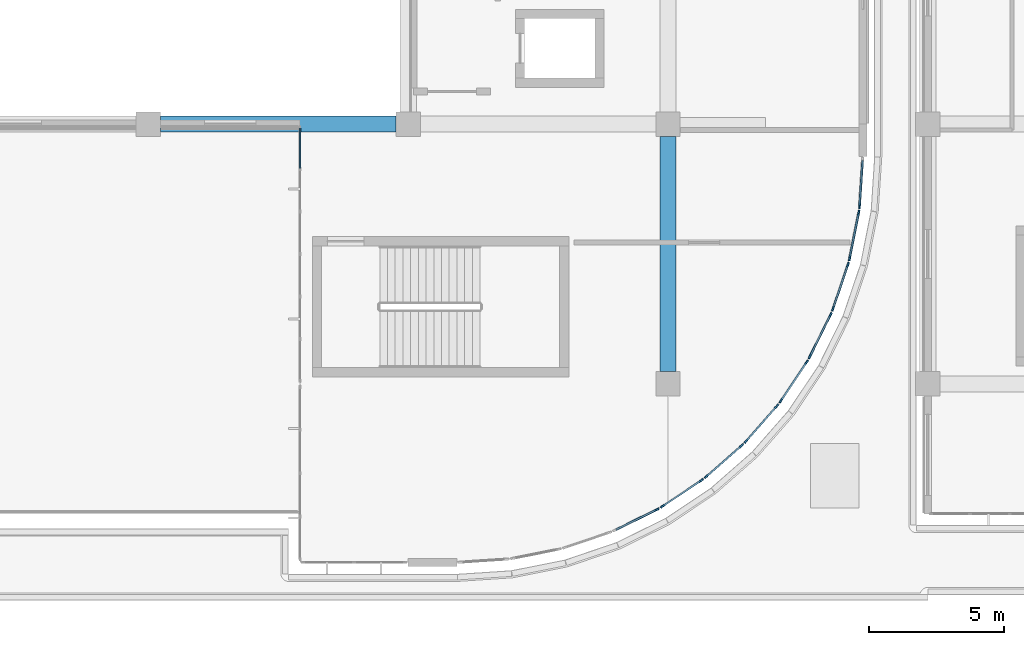
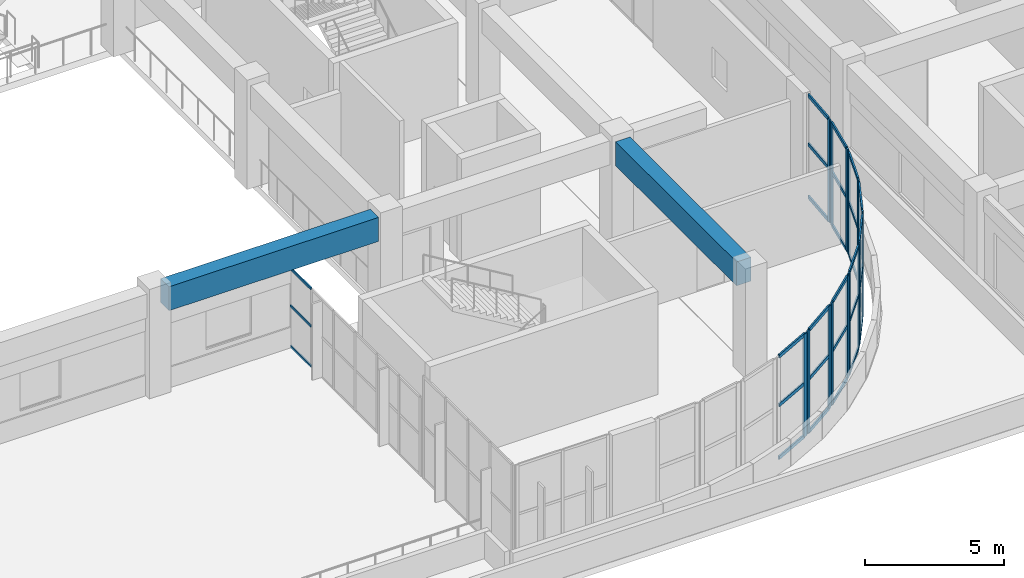
# One storey, part 7 of 96: 46 members, 2 beams, 10 elements without a shape of their own.
"""IFC4 building model written with IfcOpenShell, lengths in metres."""

from ifc_helpers import new_model, si_unit, direction, frame, origin, origin_2d, place, context, subcontext, project, spatial, rectangle, extrude, material, layer, layer_set, material_profile, profile_set, type_object, element, aggregate, save


model = new_model("IFC4")

# Units and contexts
model_context = context("Model", 3, precision=1e-05, world=origin(), true_north=direction((0.0, 1.0)))
body_context = subcontext(model_context, "Body", "Model", "MODEL_VIEW")
ifc_project = project(units=[si_unit("LENGTHUNIT", "METRE"), si_unit("AREAUNIT", "SQUARE_METRE"), si_unit("VOLUMEUNIT", "CUBIC_METRE"), si_unit("PLANEANGLEUNIT", "RADIAN"), si_unit("MASSUNIT", "GRAM", prefix="KILO")], contexts=[model_context])

# Site, building, storey
site_placement = place(None, origin())
site = spatial("IfcSite", under=ifc_project, at=site_placement, CompositionType="ELEMENT")
building_placement = place(site_placement, origin())
building = spatial("IfcBuilding", under=site, at=building_placement, Name="Cendralis Terraced Arcade", CompositionType="ELEMENT")
storey_placement = place(building_placement, frame((0.0, 0.0, 10.199951171875)))
storey = spatial("IfcBuildingStorey", under=building, at=storey_placement, Name="L02", CompositionType="ELEMENT", Elevation=10.199951171875)

# Beams
ifc_material_1 = material(Name="Concrete f'c 35 MPa", Category="concrete")
ifc_material_profile_1 = material_profile(ifc_material_1, rectangle(XDim=0.60009765625, YDim=1.050048828125, at=origin_2d()), Name="RC-BM-600x1050", Category="LoadBearing")
ifc_profile_set_1 = profile_set([ifc_material_profile_1], Name="Concrete f'c 35 MPa")
beam_type = type_object("IfcBeamType", Name="BM-600x1050", PredefinedType="JOIST", material=ifc_profile_set_1)
for number, where, z_axis, x_axis, name in (
    (1, (38.85009765625, 19.199951171875, 3.989990234375), (1.0, 0.0, 0.0), (0.0, 1.0, 0.0), "Reinforced Concrete Frame Beam BM-X-L03-C-5_6"),
    (2, (57.60009765625, 10.050048828125, 3.989990234375), (0.0, 1.0, 0.0), (-1.0, 0.0, 0.0), "Reinforced Concrete Frame Beam BM-Y-L03-7-B_C"),
):
    element("IfcBeam", number, at=place(storey_placement, frame(where, z_axis=z_axis, x_axis=x_axis)), inside=storey, type_object=beam_type, Name=name, PredefinedType="JOIST", context=body_context, shape_type="SweptSolid", body=[
        extrude(rectangle(XDim=0.60009765625, YDim=1.050048828125, at=origin_2d()), origin(), (0.0, 0.0, 1.0), 8.699951171875),
    ])

# Curtain wall, members
ifc_material_2 = material(Name="Anodised aluminium EN AW-6063 T6", Category="aluminium")
ifc_layer_1 = layer(ifc_material_2, 0.1201171875, Name="CW-STORE-B")
ifc_layer_set_1 = layer_set([ifc_layer_1], Name="Anodised aluminium EN AW-6063 T6")
curtain_wall_type_1 = type_object("IfcCurtainWallType", Name="CW-STORE-B", PredefinedType="USERDEFINED", material=ifc_layer_set_1)
curtain_wall_1_placement = place(storey_placement, origin())
curtain_wall_1 = element("IfcCurtainWall", 3, at=curtain_wall_1_placement, inside=storey, type_object=curtain_wall_type_1, Name="Exterior Storefront Glazing CW-L02-0206", ObjectType="STOREFRONT GLAZING", PredefinedType="USERDEFINED")
ifc_material_profile_2 = material_profile(ifc_material_2, rectangle(XDim=0.054931640625, YDim=0.10009765625, at=origin_2d()), Name="ALU-TRN-55x100")
ifc_profile_set_2 = profile_set([ifc_material_profile_2], Name="Anodised aluminium EN AW-6063 T6")
member_type_1 = type_object("IfcMemberType", Name="CW-STORE-B-TRN", PredefinedType="USERDEFINED", material=ifc_profile_set_2)
member_1_placement = place(storey_placement, frame((44.0, 17.5673828125, 0.027587890625), z_axis=(0.0, 1.0, 0.0), x_axis=(-1.0, 0.0, 0.0)))
member_1 = element("IfcMember", 4, at=member_1_placement, type_object=member_type_1, Name="CW-S2 transom 6.1", ObjectType="TRANSOM", PredefinedType="USERDEFINED", context=body_context, shape_type="SweptSolid", body=[
    extrude(rectangle(XDim=0.054931640625, YDim=0.10009765625, at=origin_2d()), origin(), (0.0, 0.0, 1.0), 1.487548828125),
])
member_2_placement = place(storey_placement, frame((44.0, 17.5673828125, 1.796630859375), z_axis=(0.0, 1.0, 0.0), x_axis=(-1.0, 0.0, 0.0)))
member_2 = element("IfcMember", 5, at=member_2_placement, type_object=member_type_1, Name="CW-S2 transom 6.2", ObjectType="TRANSOM", PredefinedType="USERDEFINED", context=body_context, shape_type="SweptSolid", body=[
    extrude(rectangle(XDim=0.054931640625, YDim=0.10009765625, at=origin_2d()), origin(), (0.0, 0.0, 1.0), 1.487548828125),
])
member_3_placement = place(storey_placement, frame((44.0, 17.5673828125, 3.427490234375), z_axis=(0.0, 1.0, 0.0), x_axis=(-1.0, 0.0, 0.0)))
member_3 = element("IfcMember", 6, at=member_3_placement, type_object=member_type_1, Name="CW-S2 transom 6.3", ObjectType="TRANSOM", PredefinedType="USERDEFINED", context=body_context, shape_type="SweptSolid", body=[
    extrude(rectangle(XDim=0.054931640625, YDim=0.10009765625, at=origin_2d()), origin(), (0.0, 0.0, 1.0), 1.487548828125),
])
aggregate(curtain_wall_1, [member_1, member_2, member_3])

# Curtain wall, member
ifc_layer_2 = layer(ifc_material_2, 0.179931640625, Name="CW-UNIT-A")
ifc_layer_set_2 = layer_set([ifc_layer_2], Name="Anodised aluminium EN AW-6063 T6")
curtain_wall_type_2 = type_object("IfcCurtainWallType", Name="CW-UNIT-A", PredefinedType="USERDEFINED", material=ifc_layer_set_2)
curtain_wall_2_placement = place(storey_placement, origin())
curtain_wall_2 = element("IfcCurtainWall", 7, at=curtain_wall_2_placement, inside=storey, type_object=curtain_wall_type_2, Name="Exterior Unitised Facade CW-L02-0192", ObjectType="UNITISED FACADE", PredefinedType="USERDEFINED")
ifc_material_profile_3 = material_profile(ifc_material_2, rectangle(XDim=0.06494140625, YDim=0.179931640625, at=origin_2d()), Name="ALU-MUL-65x180")
ifc_profile_set_3 = profile_set([ifc_material_profile_3], Name="Anodised aluminium EN AW-6063 T6")
member_type_2 = type_object("IfcMemberType", Name="CW-UNIT-A-MUL", PredefinedType="MULLION", material=ifc_profile_set_3)
member_4_placement = place(storey_placement, frame((64.6796875, 16.164306640625, 0.0), z_axis=(0.0, 0.0, 1.0), x_axis=(0.997860971336, -0.065371873798, 0.0)))
member_4 = element("IfcMember", 8, at=member_4_placement, type_object=member_type_2, Name="CW-U1 mullion 2", PredefinedType="MULLION", context=body_context, shape_type="SweptSolid", body=[
    extrude(rectangle(XDim=0.06494140625, YDim=0.179931640625, at=origin_2d()), origin(), (0.0, 0.0, 1.0), 4.51513671875),
])

# Curtain wall, members
curtain_wall_3_placement = place(storey_placement, origin())
curtain_wall_3 = element("IfcCurtainWall", 9, at=curtain_wall_3_placement, inside=storey, type_object=curtain_wall_type_2, Name="Exterior Unitised Facade CW-L02-0193", ObjectType="UNITISED FACADE", PredefinedType="USERDEFINED")
member_5_placement = place(storey_placement, frame((64.647705078125, 15.921875, 0.0), z_axis=(0.0, 0.0, 1.0), x_axis=(0.980791618721, -0.195058454434, 0.0)))
member_5 = element("IfcMember", 10, at=member_5_placement, type_object=member_type_2, Name="CW-U1 mullion 1", PredefinedType="MULLION", context=body_context, shape_type="SweptSolid", body=[
    extrude(rectangle(XDim=0.06494140625, YDim=0.179931640625, at=origin_2d()), origin(), (0.0, 0.0, 1.0), 4.51513671875),
])
member_6_placement = place(storey_placement, frame((64.312744140625, 14.23779296875, 0.0), z_axis=(0.0, 0.0, 1.0), x_axis=(0.980791618721, -0.195058454434, 0.0)))
member_6 = element("IfcMember", 11, at=member_6_placement, type_object=member_type_2, Name="CW-U1 mullion 2", PredefinedType="MULLION", context=body_context, shape_type="SweptSolid", body=[
    extrude(rectangle(XDim=0.06494140625, YDim=0.179931640625, at=origin_2d()), origin(), (0.0, 0.0, 1.0), 4.51513671875),
])

curtain_wall_4_placement = place(storey_placement, origin())
curtain_wall_4 = element("IfcCurtainWall", 12, at=curtain_wall_4_placement, inside=storey, type_object=curtain_wall_type_2, Name="Exterior Unitised Facade CW-L02-0194", ObjectType="UNITISED FACADE", PredefinedType="USERDEFINED")
member_7_placement = place(storey_placement, frame((64.24951171875, 14.001708984375, 0.0), z_axis=(0.0, 0.0, 1.0), x_axis=(0.946923811316, -0.321458077458, 0.0)))
member_7 = element("IfcMember", 13, at=member_7_placement, type_object=member_type_2, Name="CW-U1 mullion 1", PredefinedType="MULLION", context=body_context, shape_type="SweptSolid", body=[
    extrude(rectangle(XDim=0.06494140625, YDim=0.179931640625, at=origin_2d()), origin(), (0.0, 0.0, 1.0), 4.51513671875),
])
member_8_placement = place(storey_placement, frame((63.697509765625, 12.375732421875, 0.0), z_axis=(0.0, 0.0, 1.0), x_axis=(0.946923811316, -0.321458077458, 0.0)))
member_8 = element("IfcMember", 14, at=member_8_placement, type_object=member_type_2, Name="CW-U1 mullion 2", PredefinedType="MULLION", context=body_context, shape_type="SweptSolid", body=[
    extrude(rectangle(XDim=0.06494140625, YDim=0.179931640625, at=origin_2d()), origin(), (0.0, 0.0, 1.0), 4.51513671875),
])

curtain_wall_5_placement = place(storey_placement, origin())
curtain_wall_5 = element("IfcCurtainWall", 15, at=curtain_wall_5_placement, inside=storey, type_object=curtain_wall_type_2, Name="Exterior Unitised Facade CW-L02-0195", ObjectType="UNITISED FACADE", PredefinedType="USERDEFINED")
member_9_placement = place(storey_placement, frame((63.60400390625, 12.14990234375, 0.0), z_axis=(0.0, 0.0, 1.0), x_axis=(0.896871480419, -0.442291247495, 0.0)))
member_9 = element("IfcMember", 16, at=member_9_placement, type_object=member_type_2, Name="CW-U1 mullion 1", PredefinedType="MULLION", context=body_context, shape_type="SweptSolid", body=[
    extrude(rectangle(XDim=0.06494140625, YDim=0.179931640625, at=origin_2d()), origin(), (0.0, 0.0, 1.0), 4.51513671875),
])
member_10_placement = place(storey_placement, frame((62.844482421875, 10.60986328125, 0.0), z_axis=(0.0, 0.0, 1.0), x_axis=(0.896871480419, -0.442291247495, 0.0)))
member_10 = element("IfcMember", 17, at=member_10_placement, type_object=member_type_2, Name="CW-U1 mullion 2", PredefinedType="MULLION", context=body_context, shape_type="SweptSolid", body=[
    extrude(rectangle(XDim=0.06494140625, YDim=0.179931640625, at=origin_2d()), origin(), (0.0, 0.0, 1.0), 4.51513671875),
])

curtain_wall_6_placement = place(storey_placement, origin())
curtain_wall_6 = element("IfcCurtainWall", 18, at=curtain_wall_6_placement, inside=storey, type_object=curtain_wall_type_2, Name="Exterior Unitised Facade CW-L02-0196", ObjectType="UNITISED FACADE", PredefinedType="USERDEFINED")
member_11_placement = place(storey_placement, frame((62.722412109375, 10.398193359375, 0.0), z_axis=(0.0, 0.0, 1.0), x_axis=(0.831471454125, -0.555567476528, 0.0)))
member_11 = element("IfcMember", 19, at=member_11_placement, type_object=member_type_2, Name="CW-U1 mullion 1", PredefinedType="MULLION", context=body_context, shape_type="SweptSolid", body=[
    extrude(rectangle(XDim=0.06494140625, YDim=0.179931640625, at=origin_2d()), origin(), (0.0, 0.0, 1.0), 4.51513671875),
])
member_12_placement = place(storey_placement, frame((61.768310546875, 8.970458984375, 0.0), z_axis=(0.0, 0.0, 1.0), x_axis=(0.831471454125, -0.555567476528, 0.0)))
member_12 = element("IfcMember", 20, at=member_12_placement, type_object=member_type_2, Name="CW-U1 mullion 2", PredefinedType="MULLION", context=body_context, shape_type="SweptSolid", body=[
    extrude(rectangle(XDim=0.06494140625, YDim=0.179931640625, at=origin_2d()), origin(), (0.0, 0.0, 1.0), 4.51513671875),
])

curtain_wall_7_placement = place(storey_placement, origin())
curtain_wall_7 = element("IfcCurtainWall", 21, at=curtain_wall_7_placement, inside=storey, type_object=curtain_wall_type_2, Name="Exterior Unitised Facade CW-L02-0197", ObjectType="UNITISED FACADE", PredefinedType="USERDEFINED")
member_13_placement = place(storey_placement, frame((61.61962890625, 8.7763671875, 0.0), z_axis=(0.0, 0.0, 1.0), x_axis=(0.751804497477, -0.659386076266, 0.0)))
member_13 = element("IfcMember", 22, at=member_13_placement, type_object=member_type_2, Name="CW-U1 mullion 1", PredefinedType="MULLION", context=body_context, shape_type="SweptSolid", body=[
    extrude(rectangle(XDim=0.06494140625, YDim=0.179931640625, at=origin_2d()), origin(), (0.0, 0.0, 1.0), 4.51513671875),
])
member_14_placement = place(storey_placement, frame((60.4873046875, 7.485595703125, 0.0), z_axis=(0.0, 0.0, 1.0), x_axis=(0.751804497477, -0.659386076266, 0.0)))
member_14 = element("IfcMember", 23, at=member_14_placement, type_object=member_type_2, Name="CW-U1 mullion 2", PredefinedType="MULLION", context=body_context, shape_type="SweptSolid", body=[
    extrude(rectangle(XDim=0.06494140625, YDim=0.179931640625, at=origin_2d()), origin(), (0.0, 0.0, 1.0), 4.51513671875),
])

curtain_wall_8_placement = place(storey_placement, origin())
curtain_wall_8 = element("IfcCurtainWall", 24, at=curtain_wall_8_placement, inside=storey, type_object=curtain_wall_type_2, Name="Exterior Unitised Facade CW-L02-0198", ObjectType="UNITISED FACADE", PredefinedType="USERDEFINED")
member_15_placement = place(storey_placement, frame((60.314453125, 7.312744140625, 0.0), z_axis=(0.0, 0.0, 1.0), x_axis=(0.659386076266, -0.751804497477, 0.0)))
member_15 = element("IfcMember", 25, at=member_15_placement, type_object=member_type_2, Name="CW-U1 mullion 1", PredefinedType="MULLION", context=body_context, shape_type="SweptSolid", body=[
    extrude(rectangle(XDim=0.06494140625, YDim=0.179931640625, at=origin_2d()), origin(), (0.0, 0.0, 1.0), 4.51513671875),
])
member_16_placement = place(storey_placement, frame((59.0234375, 6.180419921875, 0.0), z_axis=(0.0, 0.0, 1.0), x_axis=(0.659386076266, -0.751804497477, 0.0)))
member_16 = element("IfcMember", 26, at=member_16_placement, type_object=member_type_2, Name="CW-U1 mullion 2", PredefinedType="MULLION", context=body_context, shape_type="SweptSolid", body=[
    extrude(rectangle(XDim=0.06494140625, YDim=0.179931640625, at=origin_2d()), origin(), (0.0, 0.0, 1.0), 4.51513671875),
])

curtain_wall_9_placement = place(storey_placement, origin())
curtain_wall_9 = element("IfcCurtainWall", 27, at=curtain_wall_9_placement, inside=storey, type_object=curtain_wall_type_2, Name="Exterior Unitised Facade CW-L02-0199", ObjectType="UNITISED FACADE", PredefinedType="USERDEFINED")
member_17_placement = place(storey_placement, frame((58.82958984375, 6.03173828125, 0.0), z_axis=(0.0, 0.0, 1.0), x_axis=(0.555567476528, -0.831471454125, 0.0)))
member_17 = element("IfcMember", 28, at=member_17_placement, type_object=member_type_2, Name="CW-U1 mullion 1", PredefinedType="MULLION", context=body_context, shape_type="SweptSolid", body=[
    extrude(rectangle(XDim=0.06494140625, YDim=0.179931640625, at=origin_2d()), origin(), (0.0, 0.0, 1.0), 4.51513671875),
])
member_18_placement = place(storey_placement, frame((57.40185546875, 5.07763671875, 0.0), z_axis=(0.0, 0.0, 1.0), x_axis=(0.555567476528, -0.831471454125, 0.0)))
member_18 = element("IfcMember", 29, at=member_18_placement, type_object=member_type_2, Name="CW-U1 mullion 2", PredefinedType="MULLION", context=body_context, shape_type="SweptSolid", body=[
    extrude(rectangle(XDim=0.06494140625, YDim=0.179931640625, at=origin_2d()), origin(), (0.0, 0.0, 1.0), 4.51513671875),
])

# Curtain wall, member
curtain_wall_10_placement = place(storey_placement, origin())
curtain_wall_10 = element("IfcCurtainWall", 30, at=curtain_wall_10_placement, inside=storey, type_object=curtain_wall_type_2, Name="Exterior Unitised Facade CW-L02-0200", ObjectType="UNITISED FACADE", PredefinedType="USERDEFINED")
member_19_placement = place(storey_placement, frame((57.190185546875, 4.955322265625, 0.0), z_axis=(0.0, 0.0, 1.0), x_axis=(0.442291247495, -0.896871480419, 0.0)))
member_19 = element("IfcMember", 31, at=member_19_placement, type_object=member_type_2, Name="CW-U1 mullion 1", PredefinedType="MULLION", context=body_context, shape_type="SweptSolid", body=[
    extrude(rectangle(XDim=0.06494140625, YDim=0.179931640625, at=origin_2d()), origin(), (0.0, 0.0, 1.0), 4.51513671875),
])

# Member
ifc_material_profile_4 = material_profile(ifc_material_2, rectangle(XDim=0.06494140625, YDim=0.14990234375, at=origin_2d()), Name="ALU-TRN-65x150")
ifc_profile_set_4 = profile_set([ifc_material_profile_4], Name="Anodised aluminium EN AW-6063 T6")
member_type_3 = type_object("IfcMemberType", Name="CW-UNIT-A-TRN", PredefinedType="USERDEFINED", material=ifc_profile_set_4)
member_20_placement = place(storey_placement, frame((64.789794921875, 17.845458984375, 0.032470703125), z_axis=(-0.065312640858, -0.997864850039, 0.0), x_axis=(0.997864850039, -0.065312640858, 0.0)))
member_20 = element("IfcMember", 32, at=member_20_placement, type_object=member_type_3, Name="CW-U1 transom 1.1", ObjectType="TRANSOM", PredefinedType="USERDEFINED", context=body_context, shape_type="SweptSolid", body=[
    extrude(rectangle(XDim=0.06494140625, YDim=0.14990234375, at=origin_2d()), origin(), (0.0, 0.0, 1.0), 1.652099609375),
])

member_21_placement = place(storey_placement, frame((64.789794921875, 17.845458984375, 2.347900390625), z_axis=(-0.065312640858, -0.997864850039, 0.0), x_axis=(0.997864850039, -0.065312640858, 0.0)))
member_21 = element("IfcMember", 33, at=member_21_placement, type_object=member_type_3, Name="CW-U1 transom 1.2", ObjectType="TRANSOM", PredefinedType="USERDEFINED", context=body_context, shape_type="SweptSolid", body=[
    extrude(rectangle(XDim=0.06494140625, YDim=0.14990234375, at=origin_2d()), origin(), (0.0, 0.0, 1.0), 1.652099609375),
])

member_22_placement = place(storey_placement, frame((64.789794921875, 17.845458984375, 4.482666015625), z_axis=(-0.065312640858, -0.997864850039, 0.0), x_axis=(0.997864850039, -0.065312640858, 0.0)))
member_22 = element("IfcMember", 34, at=member_22_placement, type_object=member_type_3, Name="CW-U1 transom 1.3", ObjectType="TRANSOM", PredefinedType="USERDEFINED", context=body_context, shape_type="SweptSolid", body=[
    extrude(rectangle(XDim=0.06494140625, YDim=0.14990234375, at=origin_2d()), origin(), (0.0, 0.0, 1.0), 1.652099609375),
])

aggregate(curtain_wall_2, [member_4, member_20, member_21, member_22])

member_23_placement = place(storey_placement, frame((64.641357421875, 15.89013671875, 0.032470703125), z_axis=(-0.195064538134, -0.980790408784, 0.0), x_axis=(0.980790408784, -0.195064538134, 0.0)))
member_23 = element("IfcMember", 35, at=member_23_placement, type_object=member_type_3, Name="CW-U1 transom 1.1", ObjectType="TRANSOM", PredefinedType="USERDEFINED", context=body_context, shape_type="SweptSolid", body=[
    extrude(rectangle(XDim=0.06494140625, YDim=0.14990234375, at=origin_2d()), origin(), (0.0, 0.0, 1.0), 1.652099609375),
])

member_24_placement = place(storey_placement, frame((64.641357421875, 15.89013671875, 2.347900390625), z_axis=(-0.195064538134, -0.980790408784, 0.0), x_axis=(0.980790408784, -0.195064538134, 0.0)))
member_24 = element("IfcMember", 36, at=member_24_placement, type_object=member_type_3, Name="CW-U1 transom 1.2", ObjectType="TRANSOM", PredefinedType="USERDEFINED", context=body_context, shape_type="SweptSolid", body=[
    extrude(rectangle(XDim=0.06494140625, YDim=0.14990234375, at=origin_2d()), origin(), (0.0, 0.0, 1.0), 1.652099609375),
])

member_25_placement = place(storey_placement, frame((64.641357421875, 15.89013671875, 4.482666015625), z_axis=(-0.195064538134, -0.980790408784, 0.0), x_axis=(0.980790408784, -0.195064538134, 0.0)))
member_25 = element("IfcMember", 37, at=member_25_placement, type_object=member_type_3, Name="CW-U1 transom 1.3", ObjectType="TRANSOM", PredefinedType="USERDEFINED", context=body_context, shape_type="SweptSolid", body=[
    extrude(rectangle(XDim=0.06494140625, YDim=0.14990234375, at=origin_2d()), origin(), (0.0, 0.0, 1.0), 1.652099609375),
])

aggregate(curtain_wall_3, [member_5, member_6, member_23, member_24, member_25])

member_26_placement = place(storey_placement, frame((64.239013671875, 13.970947265625, 0.032470703125), z_axis=(-0.321409930755, -0.94694015461, 0.0), x_axis=(0.94694015461, -0.321409930755, 0.0)))
member_26 = element("IfcMember", 38, at=member_26_placement, type_object=member_type_3, Name="CW-U1 transom 1.1", ObjectType="TRANSOM", PredefinedType="USERDEFINED", context=body_context, shape_type="SweptSolid", body=[
    extrude(rectangle(XDim=0.06494140625, YDim=0.14990234375, at=origin_2d()), origin(), (0.0, 0.0, 1.0), 1.652099609375),
])

member_27_placement = place(storey_placement, frame((64.239013671875, 13.970947265625, 2.347900390625), z_axis=(-0.321409930755, -0.94694015461, 0.0), x_axis=(0.94694015461, -0.321409930755, 0.0)))
member_27 = element("IfcMember", 39, at=member_27_placement, type_object=member_type_3, Name="CW-U1 transom 1.2", ObjectType="TRANSOM", PredefinedType="USERDEFINED", context=body_context, shape_type="SweptSolid", body=[
    extrude(rectangle(XDim=0.06494140625, YDim=0.14990234375, at=origin_2d()), origin(), (0.0, 0.0, 1.0), 1.652099609375),
])

member_28_placement = place(storey_placement, frame((64.239013671875, 13.970947265625, 4.482666015625), z_axis=(-0.321409930755, -0.94694015461, 0.0), x_axis=(0.94694015461, -0.321409930755, 0.0)))
member_28 = element("IfcMember", 40, at=member_28_placement, type_object=member_type_3, Name="CW-U1 transom 1.3", ObjectType="TRANSOM", PredefinedType="USERDEFINED", context=body_context, shape_type="SweptSolid", body=[
    extrude(rectangle(XDim=0.06494140625, YDim=0.14990234375, at=origin_2d()), origin(), (0.0, 0.0, 1.0), 1.652099609375),
])

aggregate(curtain_wall_4, [member_7, member_8, member_26, member_27, member_28])

member_29_placement = place(storey_placement, frame((63.589599609375, 12.12060546875, 0.032470703125), z_axis=(-0.442300625853, -0.896866855431, 0.0), x_axis=(0.896866855431, -0.442300625853, 0.0)))
member_29 = element("IfcMember", 41, at=member_29_placement, type_object=member_type_3, Name="CW-U1 transom 1.1", ObjectType="TRANSOM", PredefinedType="USERDEFINED", context=body_context, shape_type="SweptSolid", body=[
    extrude(rectangle(XDim=0.06494140625, YDim=0.14990234375, at=origin_2d()), origin(), (0.0, 0.0, 1.0), 1.652099609375),
])

member_30_placement = place(storey_placement, frame((63.589599609375, 12.12060546875, 2.347900390625), z_axis=(-0.442300625853, -0.896866855431, 0.0), x_axis=(0.896866855431, -0.442300625853, 0.0)))
member_30 = element("IfcMember", 42, at=member_30_placement, type_object=member_type_3, Name="CW-U1 transom 1.2", ObjectType="TRANSOM", PredefinedType="USERDEFINED", context=body_context, shape_type="SweptSolid", body=[
    extrude(rectangle(XDim=0.06494140625, YDim=0.14990234375, at=origin_2d()), origin(), (0.0, 0.0, 1.0), 1.652099609375),
])

member_31_placement = place(storey_placement, frame((63.589599609375, 12.12060546875, 4.482666015625), z_axis=(-0.442300625853, -0.896866855431, 0.0), x_axis=(0.896866855431, -0.442300625853, 0.0)))
member_31 = element("IfcMember", 43, at=member_31_placement, type_object=member_type_3, Name="CW-U1 transom 1.3", ObjectType="TRANSOM", PredefinedType="USERDEFINED", context=body_context, shape_type="SweptSolid", body=[
    extrude(rectangle(XDim=0.06494140625, YDim=0.14990234375, at=origin_2d()), origin(), (0.0, 0.0, 1.0), 1.652099609375),
])

aggregate(curtain_wall_5, [member_9, member_10, member_29, member_30, member_31])

member_32_placement = place(storey_placement, frame((62.704345703125, 10.37109375, 0.032470703125), z_axis=(-0.555654720391, -0.831413153436, 0.0), x_axis=(0.831413153436, -0.555654720391, 0.0)))
member_32 = element("IfcMember", 44, at=member_32_placement, type_object=member_type_3, Name="CW-U1 transom 1.1", ObjectType="TRANSOM", PredefinedType="USERDEFINED", context=body_context, shape_type="SweptSolid", body=[
    extrude(rectangle(XDim=0.06494140625, YDim=0.14990234375, at=origin_2d()), origin(), (0.0, 0.0, 1.0), 1.652099609375),
])

member_33_placement = place(storey_placement, frame((62.704345703125, 10.37109375, 2.347900390625), z_axis=(-0.555654720391, -0.831413153436, 0.0), x_axis=(0.831413153436, -0.555654720391, 0.0)))
member_33 = element("IfcMember", 45, at=member_33_placement, type_object=member_type_3, Name="CW-U1 transom 1.2", ObjectType="TRANSOM", PredefinedType="USERDEFINED", context=body_context, shape_type="SweptSolid", body=[
    extrude(rectangle(XDim=0.06494140625, YDim=0.14990234375, at=origin_2d()), origin(), (0.0, 0.0, 1.0), 1.652099609375),
])

member_34_placement = place(storey_placement, frame((62.704345703125, 10.37109375, 4.482666015625), z_axis=(-0.555654720391, -0.831413153436, 0.0), x_axis=(0.831413153436, -0.555654720391, 0.0)))
member_34 = element("IfcMember", 46, at=member_34_placement, type_object=member_type_3, Name="CW-U1 transom 1.3", ObjectType="TRANSOM", PredefinedType="USERDEFINED", context=body_context, shape_type="SweptSolid", body=[
    extrude(rectangle(XDim=0.06494140625, YDim=0.14990234375, at=origin_2d()), origin(), (0.0, 0.0, 1.0), 1.652099609375),
])

aggregate(curtain_wall_6, [member_11, member_12, member_32, member_33, member_34])

member_35_placement = place(storey_placement, frame((61.59814453125, 8.751953125, 0.032470703125), z_axis=(-0.659414374006, -0.751779677402, 0.0), x_axis=(0.751779677402, -0.659414374006, 0.0)))
member_35 = element("IfcMember", 47, at=member_35_placement, type_object=member_type_3, Name="CW-U1 transom 1.1", ObjectType="TRANSOM", PredefinedType="USERDEFINED", context=body_context, shape_type="SweptSolid", body=[
    extrude(rectangle(XDim=0.06494140625, YDim=0.14990234375, at=origin_2d()), origin(), (0.0, 0.0, 1.0), 1.652099609375),
])

member_36_placement = place(storey_placement, frame((61.59814453125, 8.751953125, 2.347900390625), z_axis=(-0.659414374006, -0.751779677402, 0.0), x_axis=(0.751779677402, -0.659414374006, 0.0)))
member_36 = element("IfcMember", 48, at=member_36_placement, type_object=member_type_3, Name="CW-U1 transom 1.2", ObjectType="TRANSOM", PredefinedType="USERDEFINED", context=body_context, shape_type="SweptSolid", body=[
    extrude(rectangle(XDim=0.06494140625, YDim=0.14990234375, at=origin_2d()), origin(), (0.0, 0.0, 1.0), 1.652099609375),
])

member_37_placement = place(storey_placement, frame((61.59814453125, 8.751953125, 4.482666015625), z_axis=(-0.659414374006, -0.751779677402, 0.0), x_axis=(0.751779677402, -0.659414374006, 0.0)))
member_37 = element("IfcMember", 49, at=member_37_placement, type_object=member_type_3, Name="CW-U1 transom 1.3", ObjectType="TRANSOM", PredefinedType="USERDEFINED", context=body_context, shape_type="SweptSolid", body=[
    extrude(rectangle(XDim=0.06494140625, YDim=0.14990234375, at=origin_2d()), origin(), (0.0, 0.0, 1.0), 1.652099609375),
])

aggregate(curtain_wall_7, [member_13, member_14, member_35, member_36, member_37])

member_38_placement = place(storey_placement, frame((60.2900390625, 7.291259765625, 0.032470703125), z_axis=(-0.751843927425, -0.659341117172, 0.0), x_axis=(0.659341117172, -0.751843927425, 0.0)))
member_38 = element("IfcMember", 50, at=member_38_placement, type_object=member_type_3, Name="CW-U1 transom 1.1", ObjectType="TRANSOM", PredefinedType="USERDEFINED", context=body_context, shape_type="SweptSolid", body=[
    extrude(rectangle(XDim=0.06494140625, YDim=0.14990234375, at=origin_2d()), origin(), (0.0, 0.0, 1.0), 1.652099609375),
])

member_39_placement = place(storey_placement, frame((60.2900390625, 7.291259765625, 2.347900390625), z_axis=(-0.751843927425, -0.659341117172, 0.0), x_axis=(0.659341117172, -0.751843927425, 0.0)))
member_39 = element("IfcMember", 51, at=member_39_placement, type_object=member_type_3, Name="CW-U1 transom 1.2", ObjectType="TRANSOM", PredefinedType="USERDEFINED", context=body_context, shape_type="SweptSolid", body=[
    extrude(rectangle(XDim=0.06494140625, YDim=0.14990234375, at=origin_2d()), origin(), (0.0, 0.0, 1.0), 1.652099609375),
])

member_40_placement = place(storey_placement, frame((60.2900390625, 7.291259765625, 4.482666015625), z_axis=(-0.751843927425, -0.659341117172, 0.0), x_axis=(0.659341117172, -0.751843927425, 0.0)))
member_40 = element("IfcMember", 52, at=member_40_placement, type_object=member_type_3, Name="CW-U1 transom 1.3", ObjectType="TRANSOM", PredefinedType="USERDEFINED", context=body_context, shape_type="SweptSolid", body=[
    extrude(rectangle(XDim=0.06494140625, YDim=0.14990234375, at=origin_2d()), origin(), (0.0, 0.0, 1.0), 1.652099609375),
])

aggregate(curtain_wall_8, [member_15, member_16, member_38, member_39, member_40])

member_41_placement = place(storey_placement, frame((58.802490234375, 6.013671875, 0.032470703125), z_axis=(-0.831413153436, -0.555654720391, 0.0), x_axis=(0.555654720391, -0.831413153436, 0.0)))
member_41 = element("IfcMember", 53, at=member_41_placement, type_object=member_type_3, Name="CW-U1 transom 1.1", ObjectType="TRANSOM", PredefinedType="USERDEFINED", context=body_context, shape_type="SweptSolid", body=[
    extrude(rectangle(XDim=0.06494140625, YDim=0.14990234375, at=origin_2d()), origin(), (0.0, 0.0, 1.0), 1.652099609375),
])

member_42_placement = place(storey_placement, frame((58.802490234375, 6.013671875, 2.347900390625), z_axis=(-0.831413153436, -0.555654720391, 0.0), x_axis=(0.555654720391, -0.831413153436, 0.0)))
member_42 = element("IfcMember", 54, at=member_42_placement, type_object=member_type_3, Name="CW-U1 transom 1.2", ObjectType="TRANSOM", PredefinedType="USERDEFINED", context=body_context, shape_type="SweptSolid", body=[
    extrude(rectangle(XDim=0.06494140625, YDim=0.14990234375, at=origin_2d()), origin(), (0.0, 0.0, 1.0), 1.652099609375),
])

member_43_placement = place(storey_placement, frame((58.802490234375, 6.013671875, 4.482666015625), z_axis=(-0.831413153436, -0.555654720391, 0.0), x_axis=(0.555654720391, -0.831413153436, 0.0)))
member_43 = element("IfcMember", 55, at=member_43_placement, type_object=member_type_3, Name="CW-U1 transom 1.3", ObjectType="TRANSOM", PredefinedType="USERDEFINED", context=body_context, shape_type="SweptSolid", body=[
    extrude(rectangle(XDim=0.06494140625, YDim=0.14990234375, at=origin_2d()), origin(), (0.0, 0.0, 1.0), 1.652099609375),
])

aggregate(curtain_wall_9, [member_17, member_18, member_41, member_42, member_43])

member_44_placement = place(storey_placement, frame((57.160888671875, 4.941162109375, 0.032470703125), z_axis=(-0.896866855431, -0.442300625853, 0.0), x_axis=(0.442300625853, -0.896866855431, 0.0)))
member_44 = element("IfcMember", 56, at=member_44_placement, type_object=member_type_3, Name="CW-U1 transom 1.1", ObjectType="TRANSOM", PredefinedType="USERDEFINED", context=body_context, shape_type="SweptSolid", body=[
    extrude(rectangle(XDim=0.06494140625, YDim=0.14990234375, at=origin_2d()), origin(), (0.0, 0.0, 1.0), 1.652099609375),
])

member_45_placement = place(storey_placement, frame((57.160888671875, 4.941162109375, 2.347900390625), z_axis=(-0.896866855431, -0.442300625853, 0.0), x_axis=(0.442300625853, -0.896866855431, 0.0)))
member_45 = element("IfcMember", 57, at=member_45_placement, type_object=member_type_3, Name="CW-U1 transom 1.2", ObjectType="TRANSOM", PredefinedType="USERDEFINED", context=body_context, shape_type="SweptSolid", body=[
    extrude(rectangle(XDim=0.06494140625, YDim=0.14990234375, at=origin_2d()), origin(), (0.0, 0.0, 1.0), 1.652099609375),
])

member_46_placement = place(storey_placement, frame((57.160888671875, 4.941162109375, 4.482666015625), z_axis=(-0.896866855431, -0.442300625853, 0.0), x_axis=(0.442300625853, -0.896866855431, 0.0)))
member_46 = element("IfcMember", 58, at=member_46_placement, type_object=member_type_3, Name="CW-U1 transom 1.3", ObjectType="TRANSOM", PredefinedType="USERDEFINED", context=body_context, shape_type="SweptSolid", body=[
    extrude(rectangle(XDim=0.06494140625, YDim=0.14990234375, at=origin_2d()), origin(), (0.0, 0.0, 1.0), 1.652099609375),
])

aggregate(curtain_wall_10, [member_19, member_44, member_45, member_46])

save(model, "model.ifc")
